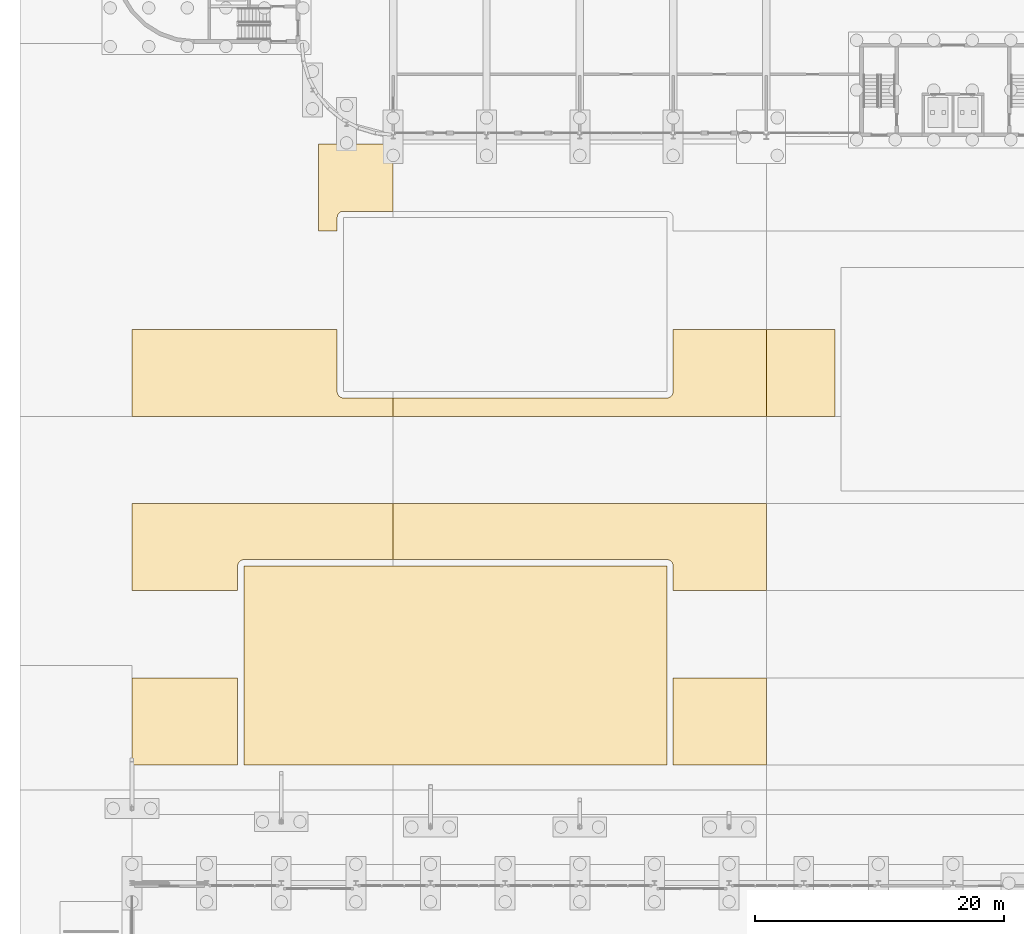
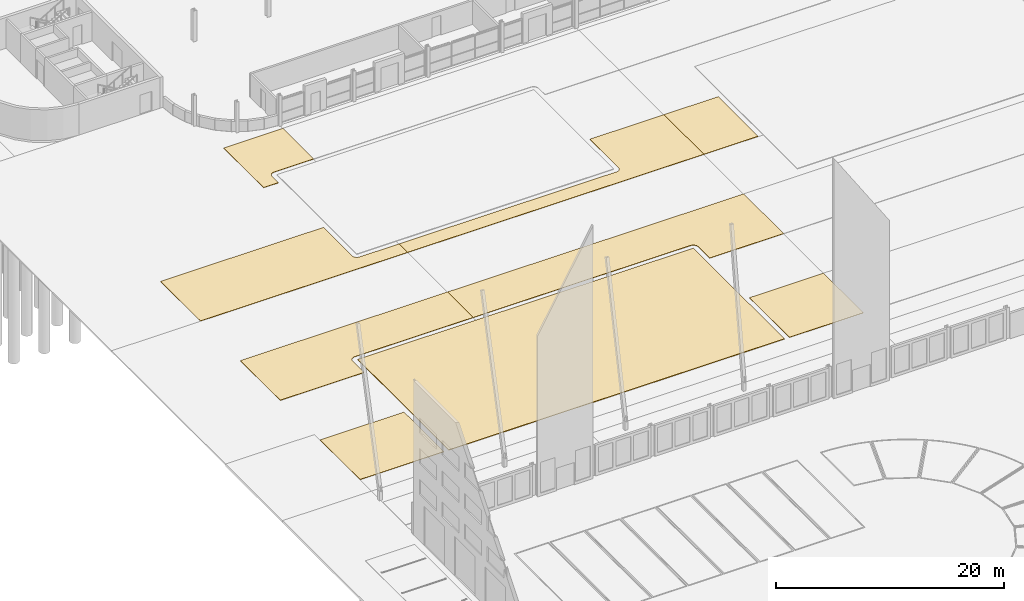
# One storey, part 111 of 130: 9 coverings.
"""IFC4 building model written with IfcOpenShell, lengths in metres."""

from ifc_helpers import new_model, si_unit, direction, origin, place, context, subcontext, project, spatial, polyline, outline, extrude, material, layer, layer_set, type_object, element, save


model = new_model("IFC4")

# Units and contexts
model_context = context("Model", 3, precision=1e-05, world=origin(), true_north=direction((0.0, 1.0)))
body_context = subcontext(model_context, "Body", "Model", "MODEL_VIEW")
ifc_project = project(units=[si_unit("LENGTHUNIT", "METRE"), si_unit("AREAUNIT", "SQUARE_METRE"), si_unit("VOLUMEUNIT", "CUBIC_METRE"), si_unit("PLANEANGLEUNIT", "RADIAN"), si_unit("MASSUNIT", "GRAM", prefix="KILO")], contexts=[model_context])

# Site, building, storey
site_placement = place(None, origin())
site = spatial("IfcSite", under=ifc_project, at=site_placement, CompositionType="ELEMENT")
building_placement = place(site_placement, origin())
building = spatial("IfcBuilding", under=site, at=building_placement, Name="Parallax Yard Mobility Hub", CompositionType="ELEMENT")
storey_placement = place(building_placement, origin())
storey = spatial("IfcBuildingStorey", under=building, at=storey_placement, Name="L00", CompositionType="ELEMENT", Elevation=0.0)

# Coverings
ifc_material_1 = material(Name="Concrete fc' 30 MPa", Category="concrete")
ifc_layer_1 = layer(ifc_material_1, 0.0400390625)
ifc_layer_set_1 = layer_set([ifc_layer_1], Name="Footway paving, Concrete fc' 30 MPa pavers 40")
covering_type_1 = type_object("IfcCoveringType", Name="Footway paving, Concrete fc' 30 MPa pavers 40", PredefinedType="USERDEFINED", material=ifc_layer_set_1)
covering_1_placement = place(storey_placement, origin())
element("IfcCovering", 1, at=covering_1_placement, inside=storey, type_object=covering_type_1, Name="Yard footway north surfacing 1", ObjectType="PAVING", PredefinedType="USERDEFINED", context=body_context, shape_type="SweptSolid", body=[
    extrude(outline(polyline([(26.0, 106.5), (25.950927734375, 106.49755859375), (25.902587890625, 106.490478515625), (25.85498046875, 106.478515625), (25.80859375, 106.4619140625), (25.764404296875, 106.44091796875), (25.72216796875, 106.415771484375), (25.682861328125, 106.386474609375), (25.646484375, 106.353515625), (25.613525390625, 106.317138671875), (25.584228515625, 106.27783203125), (25.55908203125, 106.235595703125), (25.5380859375, 106.19140625), (25.521484375, 106.14501953125), (25.509521484375, 106.097412109375), (25.50244140625, 106.049072265625), (25.5, 106.0), (25.5, 104.89990234375), (24.0, 104.89990234375), (24.0, 111.89990234375), (30.0, 111.89990234375), (30.0, 106.5), (26.0, 106.5)])), origin(), (0.0, 0.0, 1.0), 0.0400390625),
])
covering_2_placement = place(storey_placement, origin())
element("IfcCovering", 2, at=covering_2_placement, inside=storey, type_object=covering_type_1, Name="Yard band 1 surfacing 1", ObjectType="PAVING", PredefinedType="USERDEFINED", context=body_context, shape_type="SweptSolid", body=[
    extrude(outline(polyline([(17.5, 69.0), (17.5, 62.0), (9.0, 62.0), (9.0, 69.0), (17.5, 69.0)])), origin(), (0.0, 0.0, 1.0), 0.0400390625),
])
covering_3_placement = place(storey_placement, origin())
element("IfcCovering", 3, at=covering_3_placement, inside=storey, type_object=covering_type_1, Name="Yard band 1 surfacing 2", ObjectType="PAVING", PredefinedType="USERDEFINED", context=body_context, shape_type="SweptSolid", body=[
    extrude(outline(polyline([(52.5, 62.0), (52.5, 69.0), (60.0, 69.0), (60.0, 62.0), (52.5, 62.0)])), origin(), (0.0, 0.0, 1.0), 0.0400390625),
])
covering_4_placement = place(storey_placement, origin())
element("IfcCovering", 4, at=covering_4_placement, inside=storey, type_object=covering_type_1, Name="Yard band 2 surfacing 1", ObjectType="PAVING", PredefinedType="USERDEFINED", context=body_context, shape_type="SweptSolid", body=[
    extrude(outline(polyline([(30.0, 83.0), (30.0, 78.5), (18.0, 78.5), (17.950927734375, 78.49755859375), (17.902587890625, 78.490478515625), (17.85498046875, 78.478515625), (17.80859375, 78.4619140625), (17.764404296875, 78.44091796875), (17.72216796875, 78.415771484375), (17.682861328125, 78.386474609375), (17.646484375, 78.353515625), (17.613525390625, 78.317138671875), (17.584228515625, 78.27783203125), (17.55908203125, 78.235595703125), (17.5380859375, 78.19140625), (17.521484375, 78.14501953125), (17.509521484375, 78.097412109375), (17.50244140625, 78.049072265625), (17.5, 78.0), (17.5, 76.0), (9.0, 76.0), (9.0, 83.0), (30.0, 83.0)])), origin(), (0.0, 0.0, 1.0), 0.0400390625),
])
covering_5_placement = place(storey_placement, origin())
element("IfcCovering", 5, at=covering_5_placement, inside=storey, type_object=covering_type_1, Name="Yard band 2 surfacing 2", ObjectType="PAVING", PredefinedType="USERDEFINED", context=body_context, shape_type="SweptSolid", body=[
    extrude(outline(polyline([(60.0, 83.0), (60.0, 76.0), (52.5, 76.0), (52.5, 78.0), (52.49755859375, 78.049072265625), (52.490478515625, 78.097412109375), (52.478515625, 78.14501953125), (52.4619140625, 78.19140625), (52.44091796875, 78.235595703125), (52.415771484375, 78.27783203125), (52.386474609375, 78.317138671875), (52.353515625, 78.353515625), (52.317138671875, 78.386474609375), (52.27783203125, 78.415771484375), (52.235595703125, 78.44091796875), (52.19140625, 78.4619140625), (52.14501953125, 78.478515625), (52.097412109375, 78.490478515625), (52.049072265625, 78.49755859375), (52.0, 78.5), (30.0, 78.5), (30.0, 83.0), (60.0, 83.0)])), origin(), (0.0, 0.0, 1.0), 0.0400390625),
])
covering_6_placement = place(storey_placement, origin())
element("IfcCovering", 6, at=covering_6_placement, inside=storey, type_object=covering_type_1, Name="Yard band 3 surfacing 1", ObjectType="PAVING", PredefinedType="USERDEFINED", context=body_context, shape_type="SweptSolid", body=[
    extrude(outline(polyline([(9.0, 90.0), (9.0, 97.0), (25.5, 97.0), (25.5, 92.0), (25.50244140625, 91.950927734375), (25.509521484375, 91.902587890625), (25.521484375, 91.85498046875), (25.5380859375, 91.80859375), (25.55908203125, 91.764404296875), (25.584228515625, 91.72216796875), (25.613525390625, 91.682861328125), (25.646484375, 91.646484375), (25.682861328125, 91.613525390625), (25.72216796875, 91.584228515625), (25.764404296875, 91.55908203125), (25.80859375, 91.5380859375), (25.85498046875, 91.521484375), (25.902587890625, 91.509521484375), (25.950927734375, 91.50244140625), (26.0, 91.5), (30.0, 91.5), (30.0, 90.0), (9.0, 90.0)])), origin(), (0.0, 0.0, 1.0), 0.0400390625),
])
covering_7_placement = place(storey_placement, origin())
element("IfcCovering", 7, at=covering_7_placement, inside=storey, type_object=covering_type_1, Name="Yard band 3 surfacing 2", ObjectType="PAVING", PredefinedType="USERDEFINED", context=body_context, shape_type="SweptSolid", body=[
    extrude(outline(polyline([(30.0, 90.0), (30.0, 91.5), (52.0, 91.5), (52.049072265625, 91.50244140625), (52.097412109375, 91.509521484375), (52.14501953125, 91.521484375), (52.19140625, 91.5380859375), (52.235595703125, 91.55908203125), (52.27783203125, 91.584228515625), (52.317138671875, 91.613525390625), (52.353515625, 91.646484375), (52.386474609375, 91.682861328125), (52.415771484375, 91.72216796875), (52.44091796875, 91.764404296875), (52.4619140625, 91.80859375), (52.478515625, 91.85498046875), (52.490478515625, 91.902587890625), (52.49755859375, 91.950927734375), (52.5, 92.0), (52.5, 97.0), (60.0, 97.0), (60.0, 90.0), (30.0, 90.0)])), origin(), (0.0, 0.0, 1.0), 0.0400390625),
])
covering_8_placement = place(storey_placement, origin())
element("IfcCovering", 8, at=covering_8_placement, inside=storey, type_object=covering_type_1, Name="Yard band 3 surfacing 3", ObjectType="PAVING", PredefinedType="USERDEFINED", context=body_context, shape_type="SweptSolid", body=[
    extrude(outline(polyline([(60.0, 90.0), (60.0, 97.0), (65.5, 97.0), (65.5, 90.0), (60.0, 90.0)])), origin(), (0.0, 0.0, 1.0), 0.0400390625),
])
ifc_material_2 = material(Name="Planting soil and mulch")
ifc_layer_2 = layer(ifc_material_2, 0.06005859375)
ifc_layer_set_2 = layer_set([ifc_layer_2], Name="Planting bed surfacing, Planting soil and mulch 60")
covering_type_2 = type_object("IfcCoveringType", Name="Planting bed surfacing, Planting soil and mulch 60", PredefinedType="USERDEFINED", material=ifc_layer_set_2)
covering_9_placement = place(storey_placement, origin())
element("IfcCovering", 9, at=covering_9_placement, inside=storey, type_object=covering_type_2, Name="Planting bed 01 surfacing", ObjectType="PAVING", PredefinedType="USERDEFINED", context=body_context, shape_type="SweptSolid", body=[
    extrude(outline(polyline([(18.0, 62.0), (52.0, 62.0), (52.0, 78.0), (18.0, 78.0), (18.0, 62.0)])), origin(), (0.0, 0.0, 1.0), 0.06005859375),
])

save(model, "model.ifc")
